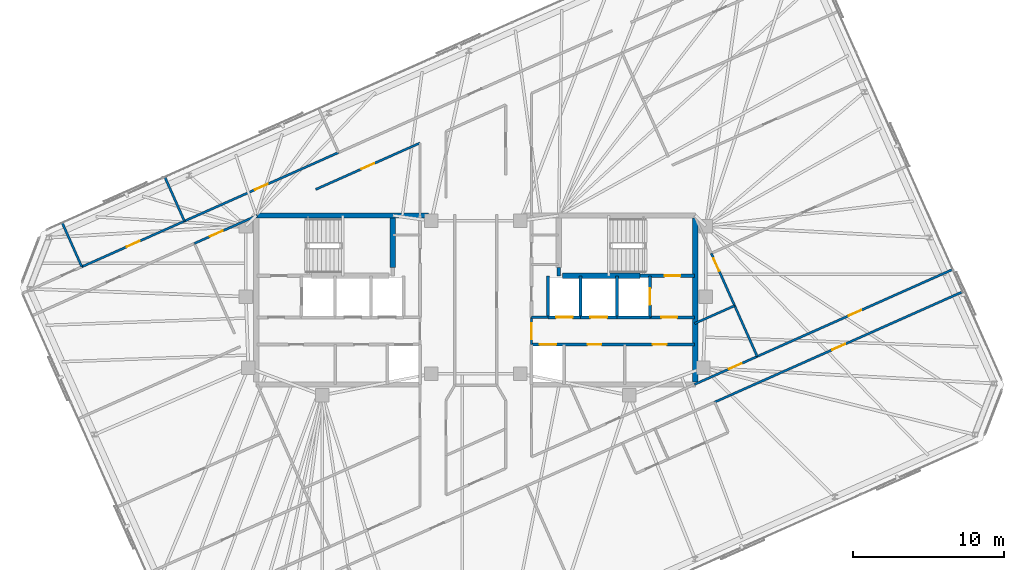
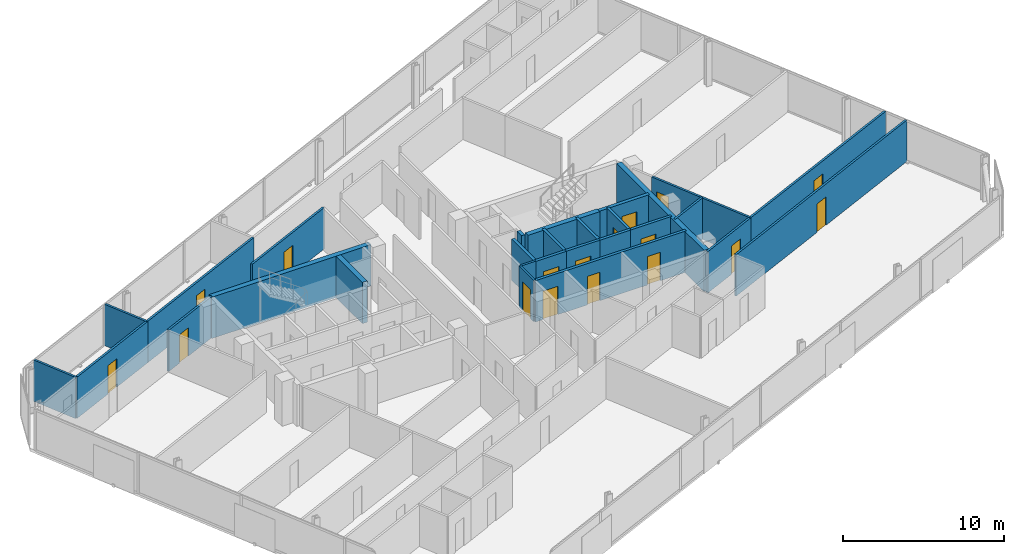
# One storey, part 15 of 18: 29 walls, 17 doors, 17 openings.
"""IFC4 building model written with IfcOpenShell, lengths in metres."""

from ifc_helpers import new_model, si_unit, direction, frame, frame_2d, origin, place, context, subcontext, project, spatial, rectangle, extrude, material, layer, layer_set, type_object, element, fill, save


model = new_model("IFC4")

# Units and contexts
model_context = context("Model", 3, precision=1e-05, world=origin(), true_north=direction((0.0, 1.0)))
body_context = subcontext(model_context, "Body", "Model", "MODEL_VIEW")
ifc_project = project(units=[si_unit("LENGTHUNIT", "METRE"), si_unit("AREAUNIT", "SQUARE_METRE"), si_unit("VOLUMEUNIT", "CUBIC_METRE"), si_unit("PLANEANGLEUNIT", "RADIAN"), si_unit("MASSUNIT", "GRAM", prefix="KILO")], contexts=[model_context])

# Site, building, storey
site_placement = place(None, origin())
site = spatial("IfcSite", under=ifc_project, at=site_placement, CompositionType="ELEMENT")
building_placement = place(site_placement, origin())
building = spatial("IfcBuilding", under=site, at=building_placement, Name="Menara Jurai Vektor", CompositionType="ELEMENT")
storey_placement = place(building_placement, frame((0.0, 0.0, 258.85009765625)))
storey = spatial("IfcBuildingStorey", under=building, at=storey_placement, Name="L69", CompositionType="ELEMENT", Elevation=258.85009765625)

# Wall, opening, door
ifc_material_1 = material(Name="Concrete C40/50", Category="concrete")
ifc_layer_1 = layer(ifc_material_1, 0.25)
ifc_layer_set_1 = layer_set([ifc_layer_1], Name="Concrete C40/50")
wall_type_1 = type_object("IfcWallType", Name="INT-WALL-CORE-250", PredefinedType="STANDARD", material=ifc_layer_set_1)
wall_1_placement = place(storey_placement, frame((10.89990234375, 1.60009765625, 0.0), z_axis=(0.0, 0.0, 1.0), x_axis=(1.0, 0.0, 0.0)))
wall_1 = element("IfcWall", 1, at=wall_1_placement, inside=storey, type_object=wall_type_1, Name="Interior Wall IW-250 L69", PredefinedType="STANDARD", context=body_context, shape_type="SweptSolid", body=[
    extrude(rectangle(XDim=3.60009765625, YDim=0.25, at=frame_2d((1.800048828125, 0.0))), origin(), (0.0, 0.0, 1.0), 3.125),
])
opening_1_placement = place(wall_1_placement, frame((1.6201171875, 0.0, 0.0)))
opening_1 = element("IfcOpeningElement", 2, at=opening_1_placement, cuts=wall_1, Name="Opening D-L69-ST2", PredefinedType="OPENING", context=body_context, shape_type="SweptSolid", body=[
    extrude(rectangle(XDim=1.050048828125, YDim=2.14990234375, at=frame_2d((0.52490234375, 1.074951171875))), frame((0.0, 0.135009765625, 0.0), z_axis=(0.0, -1.0, 0.0), x_axis=(1.0, 0.0, 0.0)), (0.0, 0.0, 1.0), 0.27001953125),
])
ifc_material_2 = material(Name="Fire-Rated Steel Door", Category="steel")
door_type_1 = type_object("IfcDoorType", Name="DR-STAIR-1050", OperationType="NOTDEFINED", PredefinedType="DOOR", material=ifc_material_2)
door_1_placement = place(opening_1_placement, origin())
door_1 = element("IfcDoor", 3, at=door_1_placement, inside=storey, type_object=door_type_1, Name="Exit Stair ST2 Door L69", OperationType="SINGLE_SWING_LEFT", OverallHeight=2.14990234375, OverallWidth=1.050048828125, PredefinedType="DOOR", context=body_context, shape_type="SweptSolid", body=[
    extrude(rectangle(XDim=1.050048828125, YDim=2.14990234375, at=frame_2d((0.52490234375, 1.074951171875))), frame((0.0, 0.02490234375, 0.0), z_axis=(0.0, -1.0, 0.0), x_axis=(1.0, 0.0, 0.0)), (0.0, 0.0, 1.0), 0.050048828125),
])
fill(opening_1, door_1)

# Wall
wall_2_placement = place(storey_placement, frame((5.5, 1.60009765625, 0.0), z_axis=(0.0, 0.0, 1.0), x_axis=(0.0, 1.0, 0.0)))
element("IfcWall", 4, at=wall_2_placement, inside=storey, type_object=wall_type_1, Name="Interior Wall IW-250 L69", PredefinedType="STANDARD", context=body_context, shape_type="SweptSolid", body=[
    extrude(rectangle(XDim=0.5498046875, YDim=0.25, at=frame_2d((0.27490234375, 0.0))), origin(), (0.0, 0.0, 1.0), 3.125),
])

# Wall, opening, door
wall_3_placement = place(storey_placement, frame((11.550048828125, -1.14990234375, 0.0), z_axis=(0.0, 0.0, 1.0), x_axis=(0.0, 1.0, 0.0)))
wall_3 = element("IfcWall", 5, at=wall_3_placement, inside=storey, type_object=wall_type_1, Name="Interior Wall IW-250 L69", PredefinedType="STANDARD", context=body_context, shape_type="SweptSolid", body=[
    extrude(rectangle(XDim=2.75, YDim=0.199951171875, at=frame_2d((1.375, 0.0))), origin(), (0.0, 0.0, 1.0), 3.125),
])
opening_2_placement = place(wall_3_placement, frame((0.824951171875, 0.0, 0.0)))
opening_2 = element("IfcOpeningElement", 6, at=opening_2_placement, cuts=wall_3, Name="Opening LD-L69-FL2", PredefinedType="OPENING", context=body_context, shape_type="SweptSolid", body=[
    extrude(rectangle(XDim=1.10009765625, YDim=2.14990234375, at=frame_2d((0.550048828125, 1.074951171875))), frame((0.0, 0.10986328125, 0.0), z_axis=(0.0, -1.0, 0.0), x_axis=(1.0, 0.0, 0.0)), (0.0, 0.0, 1.0), 0.219970703125),
])
ifc_material_3 = material(Name="Stainless Steel Sliding Lift Landing Door", Category="steel")
door_type_2 = type_object("IfcDoorType", Name="DR-LIFT-FIRE-1100", OperationType="NOTDEFINED", PredefinedType="DOOR", material=ifc_material_3)
door_2_placement = place(opening_2_placement, origin())
door_2 = element("IfcDoor", 7, at=door_2_placement, inside=storey, type_object=door_type_2, Name="Lift Landing Door FL2 L69", OperationType="SLIDING_TO_RIGHT", OverallHeight=2.14990234375, OverallWidth=1.10009765625, PredefinedType="DOOR", context=body_context, shape_type="SweptSolid", body=[
    extrude(rectangle(XDim=1.10009765625, YDim=2.14990234375, at=frame_2d((0.550048828125, 1.074951171875))), frame((0.0, 0.02490234375, 0.0), z_axis=(0.0, -1.0, 0.0), x_axis=(1.0, 0.0, 0.0)), (0.0, 0.0, 1.0), 0.050048828125),
])
fill(opening_2, door_2)

# Wall
wall_4_placement = place(storey_placement, frame((9.35009765625, -1.14990234375, 0.0), z_axis=(0.0, 0.0, 1.0), x_axis=(0.0, 1.0, 0.0)))
element("IfcWall", 8, at=wall_4_placement, inside=storey, type_object=wall_type_1, Name="Interior Wall IW-250 L69", PredefinedType="STANDARD", context=body_context, shape_type="SweptSolid", body=[
    extrude(rectangle(XDim=2.75, YDim=0.199951171875, at=frame_2d((1.375, 0.0))), origin(), (0.0, 0.0, 1.0), 3.125),
])

# Wall, opening, door
wall_5_placement = place(storey_placement, frame((11.550048828125, -1.14990234375, 0.0), z_axis=(0.0, 0.0, 1.0), x_axis=(1.0, 0.0, 0.0)))
wall_5 = element("IfcWall", 9, at=wall_5_placement, inside=storey, type_object=wall_type_1, Name="Interior Wall IW-250 L69", PredefinedType="STANDARD", context=body_context, shape_type="SweptSolid", body=[
    extrude(rectangle(XDim=2.949951171875, YDim=0.199951171875, at=frame_2d((1.47509765625, 0.0))), origin(), (0.0, 0.0, 1.0), 3.125),
])
opening_3_placement = place(wall_5_placement, frame((0.75, 0.0, 0.0)))
opening_3 = element("IfcOpeningElement", 10, at=opening_3_placement, cuts=wall_5, Name="Opening D-L69-FFE", PredefinedType="OPENING", context=body_context, shape_type="SweptSolid", body=[
    extrude(rectangle(XDim=1.050048828125, YDim=2.179931640625, at=frame_2d((0.52490234375, 1.08984375))), frame((0.0, 0.10986328125, 0.0), z_axis=(0.0, -1.0, 0.0), x_axis=(1.0, 0.0, 0.0)), (0.0, 0.0, 1.0), 0.219970703125),
])
ifc_material_4 = material(Name="Fire-Rated Timber Door", Category="wood")
door_type_3 = type_object("IfcDoorType", Name="DR-LOBBY-1050", OperationType="NOTDEFINED", PredefinedType="DOOR", material=ifc_material_4)
door_3_placement = place(opening_3_placement, origin())
door_3 = element("IfcDoor", 11, at=door_3_placement, inside=storey, type_object=door_type_3, Name="Fire Lift Lobby Door E L69", OperationType="SINGLE_SWING_LEFT", OverallHeight=2.179931640625, OverallWidth=1.050048828125, PredefinedType="DOOR", context=body_context, shape_type="SweptSolid", body=[
    extrude(rectangle(XDim=1.050048828125, YDim=2.179931640625, at=frame_2d((0.52490234375, 1.08984375))), frame((0.0, 0.02490234375, 0.0), z_axis=(0.0, -1.0, 0.0), x_axis=(1.0, 0.0, 0.0)), (0.0, 0.0, 1.0), 0.050048828125),
])
fill(opening_3, door_3)

# Wall
wall_6_placement = place(storey_placement, frame((9.35009765625, -1.14990234375, 0.0), z_axis=(0.0, 0.0, 1.0), x_axis=(1.0, 0.0, 0.0)))
element("IfcWall", 12, at=wall_6_placement, inside=storey, type_object=wall_type_1, Name="Interior Wall IW-250 L69", PredefinedType="STANDARD", context=body_context, shape_type="SweptSolid", body=[
    extrude(rectangle(XDim=2.199951171875, YDim=0.199951171875, at=frame_2d((1.10009765625, 0.0))), origin(), (0.0, 0.0, 1.0), 3.125),
])

# Wall, opening, door
ifc_material_5 = material(Name="Gypsum Fireboard Partition", Category="gypsum")
ifc_layer_2 = layer(ifc_material_5, 0.14990234375)
ifc_layer_set_2 = layer_set([ifc_layer_2], Name="Gypsum Fireboard Partition")
wall_type_2 = type_object("IfcWallType", Name="INT-WALL-CORR-150", PredefinedType="PARTITIONING", material=ifc_layer_set_2)
wall_7_placement = place(storey_placement, frame((3.699951171875, -2.949951171875, 0.0), z_axis=(0.0, 0.0, 1.0), x_axis=(0.0, 1.0, 0.0)))
wall_7 = element("IfcWall", 13, at=wall_7_placement, inside=storey, type_object=wall_type_2, Name="Interior Wall IW-150 L69", PredefinedType="PARTITIONING", context=body_context, shape_type="SweptSolid", body=[
    extrude(rectangle(XDim=1.800048828125, YDim=0.14990234375, at=frame_2d((0.89990234375, 0.0))), origin(), (0.0, 0.0, 1.0), 3.125),
])
opening_4_placement = place(wall_7_placement, frame((0.35009765625, 0.0, 0.0)))
opening_4 = element("IfcOpeningElement", 14, at=opening_4_placement, cuts=wall_7, Name="Opening D-L69-LLE", PredefinedType="OPENING", context=body_context, shape_type="SweptSolid", body=[
    extrude(rectangle(XDim=1.050048828125, YDim=2.179931640625, at=frame_2d((0.52490234375, 1.08984375))), frame((0.0, 0.0849609375, 0.0), z_axis=(0.0, -1.0, 0.0), x_axis=(1.0, 0.0, 0.0)), (0.0, 0.0, 1.0), 0.169921875),
])
door_4_placement = place(opening_4_placement, frame((1.050048828125, 0.0, 0.0), z_axis=(0.0, 0.0, 1.0), x_axis=(-1.0, 0.0, 0.0)))
door_4 = element("IfcDoor", 15, at=door_4_placement, inside=storey, type_object=door_type_3, Name="Lift Lobby Corridor Door E L69", OperationType="SINGLE_SWING_RIGHT", OverallHeight=2.179931640625, OverallWidth=1.050048828125, PredefinedType="DOOR", context=body_context, shape_type="SweptSolid", body=[
    extrude(rectangle(XDim=1.050048828125, YDim=2.179931640625, at=frame_2d((0.52490234375, 1.08984375))), frame((0.0, 0.02490234375, 0.0), z_axis=(0.0, -1.0, 0.0), x_axis=(1.0, 0.0, 0.0)), (0.0, 0.0, 1.0), 0.050048828125),
])
fill(opening_4, door_4)

# Wall
wall_8_placement = place(storey_placement, frame((3.699951171875, -1.14990234375, 0.0), z_axis=(0.0, 0.0, 1.0), x_axis=(1.0, 0.0, 0.0)))
element("IfcWall", 16, at=wall_8_placement, inside=storey, type_object=wall_type_2, Name="Interior Wall IW-150 L69", PredefinedType="PARTITIONING", context=body_context, shape_type="SweptSolid", body=[
    extrude(rectangle(XDim=1.090087890625, YDim=0.14990234375, at=frame_2d((0.544921875, 0.0))), origin(), (0.0, 0.0, 1.0), 3.125),
])

# Wall, opening, door
wall_9_placement = place(storey_placement, frame((15.843017578125, -6.775634765625, 0.0), z_axis=(0.0, 0.0, 1.0), x_axis=(0.913541183414, 0.406746243015, 0.0)))
wall_9 = element("IfcWall", 17, at=wall_9_placement, inside=storey, type_object=wall_type_2, Name="Interior Wall IW-150 L69", PredefinedType="PARTITIONING", context=body_context, shape_type="SweptSolid", body=[
    extrude(rectangle(XDim=17.9990234375, YDim=0.14990234375, at=frame_2d((8.99951171875, 0.0))), origin(), (0.0, 0.0, 1.0), 3.125),
])
opening_5_placement = place(wall_9_placement, frame((8.5244140625, 0.0, 0.0)))
opening_5 = element("IfcOpeningElement", 18, at=opening_5_placement, cuts=wall_9, Name="Opening D69-15", PredefinedType="OPENING", context=body_context, shape_type="SweptSolid", body=[
    extrude(rectangle(XDim=0.949951171875, YDim=2.14990234375, at=frame_2d((0.47509765625, 1.074951171875))), frame((0.0, 0.0849609375, 0.0), z_axis=(0.0, -1.0, 0.0), x_axis=(1.0, 0.0, 0.0)), (0.0, 0.0, 1.0), 0.169921875),
])
ifc_material_6 = material(Name="Solid Core Timber Fire Door", Category="wood")
door_type_4 = type_object("IfcDoorType", Name="DR-ENTRY-950", OperationType="NOTDEFINED", PredefinedType="DOOR", material=ifc_material_6)
door_5_placement = place(opening_5_placement, origin())
door_5 = element("IfcDoor", 19, at=door_5_placement, inside=storey, type_object=door_type_4, Name="Interior Door D69-15", OperationType="SINGLE_SWING_RIGHT", OverallHeight=2.14990234375, OverallWidth=0.949951171875, PredefinedType="DOOR", context=body_context, shape_type="SweptSolid", body=[
    extrude(rectangle(XDim=0.949951171875, YDim=2.14990234375, at=frame_2d((0.47509765625, 1.074951171875))), frame((0.0, 0.02490234375, 0.0), z_axis=(0.0, -1.0, 0.0), x_axis=(1.0, 0.0, 0.0)), (0.0, 0.0, 1.0), 0.050048828125),
])
fill(opening_5, door_5)

wall_10_placement = place(storey_placement, frame((-26.1259765625, 2.197021484375, 0.0), z_axis=(0.0, 0.0, 1.0), x_axis=(0.913553251328, 0.40671913772, 0.0)))
wall_10 = element("IfcWall", 20, at=wall_10_placement, inside=storey, type_object=wall_type_2, Name="Interior Wall IW-150 L69", PredefinedType="PARTITIONING", context=body_context, shape_type="SweptSolid", body=[
    extrude(rectangle(XDim=7.449951171875, YDim=0.14990234375, at=frame_2d((3.72509765625, 0.0))), origin(), (0.0, 0.0, 1.0), 3.125),
])
opening_6_placement = place(wall_10_placement, frame((3.264892578125, 0.0, 0.0)))
opening_6 = element("IfcOpeningElement", 21, at=opening_6_placement, cuts=wall_10, Name="Opening D69-23", PredefinedType="OPENING", context=body_context, shape_type="SweptSolid", body=[
    extrude(rectangle(XDim=0.919921875, YDim=2.14990234375, at=frame_2d((0.4599609375, 1.074951171875))), frame((0.0, 0.0849609375, 0.0), z_axis=(0.0, -1.0, 0.0), x_axis=(1.0, 0.0, 0.0)), (0.0, 0.0, 1.0), 0.169921875),
])
door_6_placement = place(opening_6_placement, origin())
door_6 = element("IfcDoor", 22, at=door_6_placement, inside=storey, type_object=door_type_4, Name="Interior Door D69-23", OperationType="SINGLE_SWING_RIGHT", OverallHeight=2.14990234375, OverallWidth=0.919921875, PredefinedType="DOOR", context=body_context, shape_type="SweptSolid", body=[
    extrude(rectangle(XDim=0.919921875, YDim=2.14990234375, at=frame_2d((0.4599609375, 1.074951171875))), frame((0.0, 0.02490234375, 0.0), z_axis=(0.0, -1.0, 0.0), x_axis=(1.0, 0.0, 0.0)), (0.0, 0.0, 1.0), 0.050048828125),
])
fill(opening_6, door_6)

wall_11_placement = place(storey_placement, frame((14.499755859375, -5.600341796875, 0.0), z_axis=(0.0, 0.0, 1.0), x_axis=(0.913550607208, 0.406725076766, 0.0)))
wall_11 = element("IfcWall", 23, at=wall_11_placement, inside=storey, type_object=wall_type_2, Name="Interior Wall IW-150 L69", PredefinedType="PARTITIONING", context=body_context, shape_type="SweptSolid", body=[
    extrude(rectangle(XDim=4.555908203125, YDim=0.14990234375, at=frame_2d((2.27783203125, 0.0))), origin(), (0.0, 0.0, 1.0), 3.125),
])
opening_7_placement = place(wall_11_placement, frame((2.50146484375, 0.0, 0.0)))
opening_7 = element("IfcOpeningElement", 24, at=opening_7_placement, cuts=wall_11, Name="Opening D69-28", PredefinedType="OPENING", context=body_context, shape_type="SweptSolid", body=[
    extrude(rectangle(XDim=0.919921875, YDim=2.14990234375, at=frame_2d((0.4599609375, 1.074951171875))), frame((0.0, 0.0849609375, 0.0), z_axis=(0.0, -1.0, 0.0), x_axis=(1.0, 0.0, 0.0)), (0.0, 0.0, 1.0), 0.169921875),
])
door_7_placement = place(opening_7_placement, origin())
door_7 = element("IfcDoor", 25, at=door_7_placement, inside=storey, type_object=door_type_4, Name="Interior Door D69-28", OperationType="SINGLE_SWING_LEFT", OverallHeight=2.14990234375, OverallWidth=0.919921875, PredefinedType="DOOR", context=body_context, shape_type="SweptSolid", body=[
    extrude(rectangle(XDim=0.919921875, YDim=2.14990234375, at=frame_2d((0.4599609375, 1.074951171875))), frame((0.0, 0.02490234375, 0.0), z_axis=(0.0, -1.0, 0.0), x_axis=(1.0, 0.0, 0.0)), (0.0, 0.0, 1.0), 0.050048828125),
])
fill(opening_7, door_7)

wall_12_placement = place(storey_placement, frame((-18.6611328125, 3.7470703125, 0.0), z_axis=(0.0, 0.0, 1.0), x_axis=(0.913535055583, 0.40676000568, 0.0)))
wall_12 = element("IfcWall", 26, at=wall_12_placement, inside=storey, type_object=wall_type_2, Name="Interior Wall IW-150 L69", PredefinedType="PARTITIONING", context=body_context, shape_type="SweptSolid", body=[
    extrude(rectangle(XDim=4.554931640625, YDim=0.14990234375, at=frame_2d((2.27734375, 0.0))), origin(), (0.0, 0.0, 1.0), 3.125),
])
opening_8_placement = place(wall_12_placement, frame((1.13427734375, 0.0, 0.0)))
opening_8 = element("IfcOpeningElement", 27, at=opening_8_placement, cuts=wall_12, Name="Opening D69-33", PredefinedType="OPENING", context=body_context, shape_type="SweptSolid", body=[
    extrude(rectangle(XDim=0.919921875, YDim=2.14990234375, at=frame_2d((0.4599609375, 1.074951171875))), frame((0.0, 0.0849609375, 0.0), z_axis=(0.0, -1.0, 0.0), x_axis=(1.0, 0.0, 0.0)), (0.0, 0.0, 1.0), 0.169921875),
])
door_8_placement = place(opening_8_placement, origin())
door_8 = element("IfcDoor", 28, at=door_8_placement, inside=storey, type_object=door_type_4, Name="Interior Door D69-33", OperationType="SINGLE_SWING_RIGHT", OverallHeight=2.14990234375, OverallWidth=0.919921875, PredefinedType="DOOR", context=body_context, shape_type="SweptSolid", body=[
    extrude(rectangle(XDim=0.919921875, YDim=2.14990234375, at=frame_2d((0.4599609375, 1.074951171875))), frame((0.0, 0.02490234375, 0.0), z_axis=(0.0, -1.0, 0.0), x_axis=(1.0, 0.0, 0.0)), (0.0, 0.0, 1.0), 0.050048828125),
])
fill(opening_8, door_8)

wall_13_placement = place(storey_placement, frame((-10.61181640625, 7.330810546875, 0.0), z_axis=(0.0, 0.0, 1.0), x_axis=(0.913543890665, 0.406740162546, 0.0)))
wall_13 = element("IfcWall", 29, at=wall_13_placement, inside=storey, type_object=wall_type_2, Name="Interior Wall IW-150 L69", PredefinedType="PARTITIONING", context=body_context, shape_type="SweptSolid", body=[
    extrude(rectangle(XDim=7.56591796875, YDim=0.14990234375, at=frame_2d((3.782958984375, 0.0))), origin(), (0.0, 0.0, 1.0), 3.125),
])
opening_9_placement = place(wall_13_placement, frame((3.322998046875, 0.0, 0.0)))
opening_9 = element("IfcOpeningElement", 30, at=opening_9_placement, cuts=wall_13, Name="Opening D69-35", PredefinedType="OPENING", context=body_context, shape_type="SweptSolid", body=[
    extrude(rectangle(XDim=0.919921875, YDim=2.14990234375, at=frame_2d((0.4599609375, 1.074951171875))), frame((0.0, 0.0849609375, 0.0), z_axis=(0.0, -1.0, 0.0), x_axis=(1.0, 0.0, 0.0)), (0.0, 0.0, 1.0), 0.169921875),
])
door_9_placement = place(opening_9_placement, origin())
door_9 = element("IfcDoor", 31, at=door_9_placement, inside=storey, type_object=door_type_4, Name="Interior Door D69-35", OperationType="SINGLE_SWING_RIGHT", OverallHeight=2.14990234375, OverallWidth=0.919921875, PredefinedType="DOOR", context=body_context, shape_type="SweptSolid", body=[
    extrude(rectangle(XDim=0.919921875, YDim=2.14990234375, at=frame_2d((0.4599609375, 1.074951171875))), frame((0.0, 0.02490234375, 0.0), z_axis=(0.0, -1.0, 0.0), x_axis=(1.0, 0.0, 0.0)), (0.0, 0.0, 1.0), 0.050048828125),
])
fill(opening_9, door_9)

wall_14_placement = place(storey_placement, frame((-19.320068359375, 5.22705078125, 0.0), z_axis=(0.0, 0.0, 1.0), x_axis=(0.913543828741, 0.406740301628, 0.0)))
wall_14 = element("IfcWall", 32, at=wall_14_placement, inside=storey, type_object=wall_type_2, Name="Interior Wall IW-150 L69", PredefinedType="PARTITIONING", context=body_context, shape_type="SweptSolid", body=[
    extrude(rectangle(XDim=11.177001953125, YDim=0.14990234375, at=frame_2d((5.58837890625, 0.0))), origin(), (0.0, 0.0, 1.0), 3.125),
])
opening_10_placement = place(wall_14_placement, frame((5.12841796875, 0.0, 0.0)))
opening_10 = element("IfcOpeningElement", 33, at=opening_10_placement, cuts=wall_14, Name="Opening D69-36", PredefinedType="OPENING", context=body_context, shape_type="SweptSolid", body=[
    extrude(rectangle(XDim=0.919921875, YDim=2.14990234375, at=frame_2d((0.4599609375, 1.074951171875))), frame((0.0, 0.0849609375, 0.0), z_axis=(0.0, -1.0, 0.0), x_axis=(1.0, 0.0, 0.0)), (0.0, 0.0, 1.0), 0.169921875),
])
door_10_placement = place(opening_10_placement, origin())
door_10 = element("IfcDoor", 34, at=door_10_placement, inside=storey, type_object=door_type_4, Name="Interior Door D69-36", OperationType="SINGLE_SWING_LEFT", OverallHeight=2.14990234375, OverallWidth=0.919921875, PredefinedType="DOOR", context=body_context, shape_type="SweptSolid", body=[
    extrude(rectangle(XDim=0.919921875, YDim=2.14990234375, at=frame_2d((0.4599609375, 1.074951171875))), frame((0.0, 0.02490234375, 0.0), z_axis=(0.0, -1.0, 0.0), x_axis=(1.0, 0.0, 0.0)), (0.0, 0.0, 1.0), 0.050048828125),
])
fill(opening_10, door_10)

wall_15_placement = place(storey_placement, frame((18.661865234375, -3.747314453125, 0.0), z_axis=(0.0, 0.0, 1.0), x_axis=(0.913544622417, 0.406738519018, 0.0)))
wall_15 = element("IfcWall", 35, at=wall_15_placement, inside=storey, type_object=wall_type_2, Name="Interior Wall IW-150 L69", PredefinedType="PARTITIONING", context=body_context, shape_type="SweptSolid", body=[
    extrude(rectangle(XDim=14.192138671875, YDim=0.14990234375, at=frame_2d((7.09619140625, 0.0))), origin(), (0.0, 0.0, 1.0), 3.125),
])
opening_11_placement = place(wall_15_placement, frame((6.635986328125, 0.0, 0.0)))
opening_11 = element("IfcOpeningElement", 36, at=opening_11_placement, cuts=wall_15, Name="Opening D69-38", PredefinedType="OPENING", context=body_context, shape_type="SweptSolid", body=[
    extrude(rectangle(XDim=0.919921875, YDim=2.14990234375, at=frame_2d((0.4599609375, 1.074951171875))), frame((0.0, 0.0849609375, 0.0), z_axis=(0.0, -1.0, 0.0), x_axis=(1.0, 0.0, 0.0)), (0.0, 0.0, 1.0), 0.169921875),
])
door_11_placement = place(opening_11_placement, origin())
door_11 = element("IfcDoor", 37, at=door_11_placement, inside=storey, type_object=door_type_4, Name="Interior Door D69-38", OperationType="SINGLE_SWING_LEFT", OverallHeight=2.14990234375, OverallWidth=0.919921875, PredefinedType="DOOR", context=body_context, shape_type="SweptSolid", body=[
    extrude(rectangle(XDim=0.919921875, YDim=2.14990234375, at=frame_2d((0.4599609375, 1.074951171875))), frame((0.0, 0.02490234375, 0.0), z_axis=(0.0, -1.0, 0.0), x_axis=(1.0, 0.0, 0.0)), (0.0, 0.0, 1.0), 0.050048828125),
])
fill(opening_11, door_11)

# Walls
for number, where, z_axis, x_axis, name in (
    (38, (-26.1259765625, 2.197021484375, 0.0), (0.0, 0.0, 1.0), (-0.406761717745, 0.913534293268, 0.0), "Interior Wall IW-150 L69"),
    (39, (-19.320068359375, 5.22705078125, 0.0), (0.0, 0.0, 1.0), (-0.406669637818, 0.913575287361, 0.0), "Interior Wall IW-150 L69"),
):
    element("IfcWall", number, at=place(storey_placement, frame(where, z_axis=z_axis, x_axis=x_axis)), inside=storey, type_object=wall_type_2, Name=name, PredefinedType="PARTITIONING", context=body_context, shape_type="SweptSolid", body=[
        extrude(rectangle(XDim=3.197998046875, YDim=0.14990234375, at=frame_2d((1.59912109375, 0.0))), origin(), (0.0, 0.0, 1.0), 3.125),
    ])
wall_16_placement = place(storey_placement, frame((14.49951171875, -1.567626953125, 0.0), z_axis=(0.0, 0.0, 1.0), x_axis=(0.91354204122, 0.4067443164, 0.0)))
element("IfcWall", 40, at=wall_16_placement, inside=storey, type_object=wall_type_2, Name="Interior Wall IW-150 L69", PredefinedType="PARTITIONING", context=body_context, shape_type="SweptSolid", body=[
    extrude(rectangle(XDim=2.916015625, YDim=0.14990234375, at=frame_2d((1.4580078125, 0.0))), origin(), (0.0, 0.0, 1.0), 3.125),
])
wall_17_placement = place(storey_placement, frame((18.661865234375, -3.747314453125, 0.0), z_axis=(0.0, 0.0, 1.0), x_axis=(-0.406740920471, 0.913543553212, 0.0)))
element("IfcWall", 41, at=wall_17_placement, inside=storey, type_object=wall_type_2, Name="Interior Wall IW-150 L69", PredefinedType="PARTITIONING", context=body_context, shape_type="SweptSolid", body=[
    extrude(rectangle(XDim=3.684326171875, YDim=0.14990234375, at=frame_2d((1.84228515625, 0.0))), origin(), (0.0, 0.0, 1.0), 3.125),
])

# Wall, opening, door
wall_18_placement = place(storey_placement, frame((17.163330078125, -0.381591796875, 0.0), z_axis=(0.0, 0.0, 1.0), x_axis=(-0.406727752939, 0.913549415735, 0.0)))
wall_18 = element("IfcWall", 42, at=wall_18_placement, inside=storey, type_object=wall_type_2, Name="Interior Wall IW-150 L69", PredefinedType="PARTITIONING", context=body_context, shape_type="SweptSolid", body=[
    extrude(rectangle(XDim=3.804931640625, YDim=0.14990234375, at=frame_2d((1.90234375, 0.0))), origin(), (0.0, 0.0, 1.0), 3.125),
])
opening_12_placement = place(wall_18_placement, frame((2.5078125, 0.0, 0.0)))
opening_12 = element("IfcOpeningElement", 43, at=opening_12_placement, cuts=wall_18, Name="Opening D69-29", PredefinedType="OPENING", context=body_context, shape_type="SweptSolid", body=[
    extrude(rectangle(XDim=0.919921875, YDim=2.14990234375, at=frame_2d((0.4599609375, 1.074951171875))), frame((0.0, 0.0849609375, 0.0), z_axis=(0.0, -1.0, 0.0), x_axis=(1.0, 0.0, 0.0)), (0.0, 0.0, 1.0), 0.169921875),
])
door_12_placement = place(opening_12_placement, origin())
door_12 = element("IfcDoor", 44, at=door_12_placement, inside=storey, type_object=door_type_4, Name="Interior Door D69-29", OperationType="SINGLE_SWING_RIGHT", OverallHeight=2.14990234375, OverallWidth=0.919921875, PredefinedType="DOOR", context=body_context, shape_type="SweptSolid", body=[
    extrude(rectangle(XDim=0.919921875, YDim=2.14990234375, at=frame_2d((0.4599609375, 1.074951171875))), frame((0.0, 0.02490234375, 0.0), z_axis=(0.0, -1.0, 0.0), x_axis=(1.0, 0.0, 0.0)), (0.0, 0.0, 1.0), 0.050048828125),
])
fill(opening_12, door_12)

# Wall
ifc_layer_3 = layer(ifc_material_1, 0.199951171875)
ifc_layer_set_3 = layer_set([ifc_layer_3], Name="Concrete C40/50")
wall_type_3 = type_object("IfcWallType", Name="INT-WALL-SHAFT-200", PredefinedType="STANDARD", material=ifc_layer_set_3)
wall_19_placement = place(storey_placement, frame((6.949951171875, -1.14990234375, 0.0), z_axis=(0.0, 0.0, 1.0), x_axis=(0.0, 1.0, 0.0)))
element("IfcWall", 45, at=wall_19_placement, inside=storey, type_object=wall_type_3, Name="Interior Wall IW-200 L69", PredefinedType="STANDARD", context=body_context, shape_type="SweptSolid", body=[
    extrude(rectangle(XDim=2.75, YDim=0.199951171875, at=frame_2d((1.375, 0.0))), origin(), (0.0, 0.0, 1.0), 3.125),
])

# Wall, opening, door
wall_20_placement = place(storey_placement, frame((6.949951171875, -1.14990234375, 0.0), z_axis=(0.0, 0.0, 1.0), x_axis=(1.0, 0.0, 0.0)))
wall_20 = element("IfcWall", 46, at=wall_20_placement, inside=storey, type_object=wall_type_3, Name="Interior Wall IW-200 L69", PredefinedType="STANDARD", context=body_context, shape_type="SweptSolid", body=[
    extrude(rectangle(XDim=2.400146484375, YDim=0.199951171875, at=frame_2d((1.2001953125, 0.0))), origin(), (0.0, 0.0, 1.0), 3.125),
])
opening_13_placement = place(wall_20_placement, frame((0.64990234375, 0.0, 0.0)))
opening_13 = element("IfcOpeningElement", 47, at=opening_13_placement, cuts=wall_20, Name="Opening LD-L69-SVL2", PredefinedType="OPENING", context=body_context, shape_type="SweptSolid", body=[
    extrude(rectangle(XDim=1.10009765625, YDim=2.14990234375, at=frame_2d((0.550048828125, 1.074951171875))), frame((0.0, 0.10986328125, 0.0), z_axis=(0.0, -1.0, 0.0), x_axis=(1.0, 0.0, 0.0)), (0.0, 0.0, 1.0), 0.219970703125),
])
ifc_material_7 = material(Name="Anodised Stainless Sliding Lift Landing Door", Category="steel")
door_type_5 = type_object("IfcDoorType", Name="DR-LIFT-PASS-1100", OperationType="NOTDEFINED", PredefinedType="DOOR", material=ifc_material_7)
door_13_placement = place(opening_13_placement, origin())
door_13 = element("IfcDoor", 48, at=door_13_placement, inside=storey, type_object=door_type_5, Name="Lift Landing Door SVL2 L69", OperationType="SLIDING_TO_RIGHT", OverallHeight=2.14990234375, OverallWidth=1.10009765625, PredefinedType="DOOR", context=body_context, shape_type="SweptSolid", body=[
    extrude(rectangle(XDim=1.10009765625, YDim=2.14990234375, at=frame_2d((0.550048828125, 1.074951171875))), frame((0.0, 0.02490234375, 0.0), z_axis=(0.0, -1.0, 0.0), x_axis=(1.0, 0.0, 0.0)), (0.0, 0.0, 1.0), 0.050048828125),
])
fill(opening_13, door_13)

# Wall
wall_21_placement = place(storey_placement, frame((4.7900390625, -1.14990234375, 0.0), z_axis=(0.0, 0.0, 1.0), x_axis=(0.0, 1.0, 0.0)))
element("IfcWall", 49, at=wall_21_placement, inside=storey, type_object=wall_type_3, Name="Interior Wall IW-200 L69", PredefinedType="STANDARD", context=body_context, shape_type="SweptSolid", body=[
    extrude(rectangle(XDim=2.75, YDim=0.199951171875, at=frame_2d((1.375, 0.0))), origin(), (0.0, 0.0, 1.0), 3.125),
])

# Wall, opening, door
wall_22_placement = place(storey_placement, frame((4.7900390625, -1.14990234375, 0.0), z_axis=(0.0, 0.0, 1.0), x_axis=(1.0, 0.0, 0.0)))
wall_22 = element("IfcWall", 50, at=wall_22_placement, inside=storey, type_object=wall_type_3, Name="Interior Wall IW-200 L69", PredefinedType="STANDARD", context=body_context, shape_type="SweptSolid", body=[
    extrude(rectangle(XDim=2.159912109375, YDim=0.199951171875, at=frame_2d((1.080078125, 0.0))), origin(), (0.0, 0.0, 1.0), 3.125),
])
opening_14_placement = place(wall_22_placement, frame((0.530029296875, 0.0, 0.0)))
opening_14 = element("IfcOpeningElement", 51, at=opening_14_placement, cuts=wall_22, Name="Opening LD-L69-PH4", PredefinedType="OPENING", context=body_context, shape_type="SweptSolid", body=[
    extrude(rectangle(XDim=1.10009765625, YDim=2.14990234375, at=frame_2d((0.550048828125, 1.074951171875))), frame((0.0, 0.10986328125, 0.0), z_axis=(0.0, -1.0, 0.0), x_axis=(1.0, 0.0, 0.0)), (0.0, 0.0, 1.0), 0.219970703125),
])
door_14_placement = place(opening_14_placement, origin())
door_14 = element("IfcDoor", 52, at=door_14_placement, inside=storey, type_object=door_type_5, Name="Lift Landing Door PH4 L69", OperationType="SLIDING_TO_LEFT", OverallHeight=2.14990234375, OverallWidth=1.10009765625, PredefinedType="DOOR", context=body_context, shape_type="SweptSolid", body=[
    extrude(rectangle(XDim=1.10009765625, YDim=2.14990234375, at=frame_2d((0.550048828125, 1.074951171875))), frame((0.0, 0.02490234375, 0.0), z_axis=(0.0, -1.0, 0.0), x_axis=(1.0, 0.0, 0.0)), (0.0, 0.0, 1.0), 0.050048828125),
])
fill(opening_14, door_14)

# Wall, openings, doors
wall_23_placement = place(storey_placement, frame((3.699951171875, -2.949951171875, 0.0), z_axis=(0.0, 0.0, 1.0), x_axis=(1.0, 0.0, 0.0)))
wall_23 = element("IfcWall", 53, at=wall_23_placement, inside=storey, type_object=wall_type_3, Name="Interior Wall IW-200 L69", PredefinedType="STANDARD", context=body_context, shape_type="SweptSolid", body=[
    extrude(rectangle(XDim=10.800048828125, YDim=0.199951171875, at=frame_2d((5.39990234375, 0.0))), origin(), (0.0, 0.0, 1.0), 3.125),
])
opening_15_placement = place(wall_23_placement, frame((0.530029296875, 0.0, 0.0)))
opening_15 = element("IfcOpeningElement", 54, at=opening_15_placement, cuts=wall_23, Name="Opening LD-L69-PH3", PredefinedType="OPENING", context=body_context, shape_type="SweptSolid", body=[
    extrude(rectangle(XDim=1.10009765625, YDim=2.14990234375, at=frame_2d((0.550048828125, 1.074951171875))), frame((0.0, 0.10986328125, 0.0), z_axis=(0.0, -1.0, 0.0), x_axis=(1.0, 0.0, 0.0)), (0.0, 0.0, 1.0), 0.219970703125),
])
opening_16_placement = place(wall_23_placement, frame((3.7099609375, 0.0, 0.0)))
opening_16 = element("IfcOpeningElement", 55, at=opening_16_placement, cuts=wall_23, Name="Opening D69-04", PredefinedType="OPENING", context=body_context, shape_type="SweptSolid", body=[
    extrude(rectangle(XDim=0.919921875, YDim=2.14990234375, at=frame_2d((0.4599609375, 1.074951171875))), frame((0.0, 0.10986328125, 0.0), z_axis=(0.0, -1.0, 0.0), x_axis=(1.0, 0.0, 0.0)), (0.0, 0.0, 1.0), 0.219970703125),
])
opening_17_placement = place(wall_23_placement, frame((8.030029296875, 0.0, 0.0)))
opening_17 = element("IfcOpeningElement", 56, at=opening_17_placement, cuts=wall_23, Name="Opening D69-05", PredefinedType="OPENING", context=body_context, shape_type="SweptSolid", body=[
    extrude(rectangle(XDim=0.919921875, YDim=2.14990234375, at=frame_2d((0.4599609375, 1.074951171875))), frame((0.0, 0.10986328125, 0.0), z_axis=(0.0, -1.0, 0.0), x_axis=(1.0, 0.0, 0.0)), (0.0, 0.0, 1.0), 0.219970703125),
])
door_15_placement = place(opening_16_placement, origin())
door_15 = element("IfcDoor", 57, at=door_15_placement, inside=storey, type_object=door_type_4, Name="Interior Door D69-04", OperationType="SINGLE_SWING_LEFT", OverallHeight=2.14990234375, OverallWidth=0.919921875, PredefinedType="DOOR", context=body_context, shape_type="SweptSolid", body=[
    extrude(rectangle(XDim=0.919921875, YDim=2.14990234375, at=frame_2d((0.4599609375, 1.074951171875))), frame((0.0, 0.02490234375, 0.0), z_axis=(0.0, -1.0, 0.0), x_axis=(1.0, 0.0, 0.0)), (0.0, 0.0, 1.0), 0.050048828125),
])
fill(opening_16, door_15)
door_16_placement = place(opening_17_placement, origin())
door_16 = element("IfcDoor", 58, at=door_16_placement, inside=storey, type_object=door_type_4, Name="Interior Door D69-05", OperationType="SINGLE_SWING_RIGHT", OverallHeight=2.14990234375, OverallWidth=0.919921875, PredefinedType="DOOR", context=body_context, shape_type="SweptSolid", body=[
    extrude(rectangle(XDim=0.919921875, YDim=2.14990234375, at=frame_2d((0.4599609375, 1.074951171875))), frame((0.0, 0.02490234375, 0.0), z_axis=(0.0, -1.0, 0.0), x_axis=(1.0, 0.0, 0.0)), (0.0, 0.0, 1.0), 0.050048828125),
])
fill(opening_17, door_16)
door_17_placement = place(opening_15_placement, origin())
door_17 = element("IfcDoor", 59, at=door_17_placement, inside=storey, type_object=door_type_5, Name="Lift Landing Door PH3 L69", OperationType="SLIDING_TO_RIGHT", OverallHeight=2.14990234375, OverallWidth=1.10009765625, PredefinedType="DOOR", context=body_context, shape_type="SweptSolid", body=[
    extrude(rectangle(XDim=1.10009765625, YDim=2.14990234375, at=frame_2d((0.550048828125, 1.074951171875))), frame((0.0, 0.02490234375, 0.0), z_axis=(0.0, -1.0, 0.0), x_axis=(1.0, 0.0, 0.0)), (0.0, 0.0, 1.0), 0.050048828125),
])
fill(opening_15, door_17)

# Walls
ifc_material_8 = material(Name="Concrete C50/60", Category="concrete")
ifc_layer_4 = layer(ifc_material_8, 0.35009765625)
ifc_layer_set_4 = layer_set([ifc_layer_4], Name="Concrete C50/60")
wall_type_4 = type_object("IfcWallType", Name="STR-WALL-CORE350", PredefinedType="SHEAR", material=ifc_layer_set_4)
wall_24_placement = place(storey_placement, frame((-14.56005859375, 5.60009765625, 0.0), z_axis=(0.0, 0.0, 1.0), x_axis=(1.0, 0.0, 0.0)))
element("IfcWall", 60, at=wall_24_placement, inside=storey, type_object=wall_type_4, Name="Core Shear Wall CW-W-N L69", PredefinedType="SHEAR", context=body_context, shape_type="SweptSolid", body=[
    extrude(rectangle(XDim=11.41015625, YDim=0.35009765625, at=frame_2d((5.705078125, 0.0))), origin(), (0.0, 0.0, 1.0), 3.125),
])
wall_25_placement = place(storey_placement, frame((-5.5, 2.14990234375, 0.0), z_axis=(0.0, 0.0, 1.0), x_axis=(0.0, 1.0, 0.0)))
element("IfcWall", 61, at=wall_25_placement, inside=storey, type_object=wall_type_4, Name="Core Shear Wall CW-W-ST L69", PredefinedType="SHEAR", context=body_context, shape_type="SweptSolid", body=[
    extrude(rectangle(XDim=3.275146484375, YDim=0.35009765625, at=frame_2d((1.6376953125, 0.0))), origin(), (0.0, 0.0, 1.0), 3.125),
])
wall_26_placement = place(storey_placement, frame((14.56005859375, -5.425048828125, 0.0), z_axis=(0.0, 0.0, 1.0), x_axis=(0.0, 1.0, 0.0)))
element("IfcWall", 62, at=wall_26_placement, inside=storey, type_object=wall_type_4, Name="Core Shear Wall CW-E-E L69", PredefinedType="SHEAR", context=body_context, shape_type="SweptSolid", body=[
    extrude(rectangle(XDim=10.85009765625, YDim=0.35009765625, at=frame_2d((5.425048828125, 0.0))), origin(), (0.0, 0.0, 1.0), 3.125),
])
wall_27_placement = place(storey_placement, frame((5.75, 1.60009765625, 0.0), z_axis=(0.0, 0.0, 1.0), x_axis=(1.0, 0.0, 0.0)))
element("IfcWall", 63, at=wall_27_placement, inside=storey, type_object=wall_type_4, Name="Core Shear Wall CW-E-STS L69", PredefinedType="SHEAR", context=body_context, shape_type="SweptSolid", body=[
    extrude(rectangle(XDim=5.14990234375, YDim=0.35009765625, at=frame_2d((2.574951171875, 0.0))), origin(), (0.0, 0.0, 1.0), 3.125),
])

save(model, "model.ifc")
